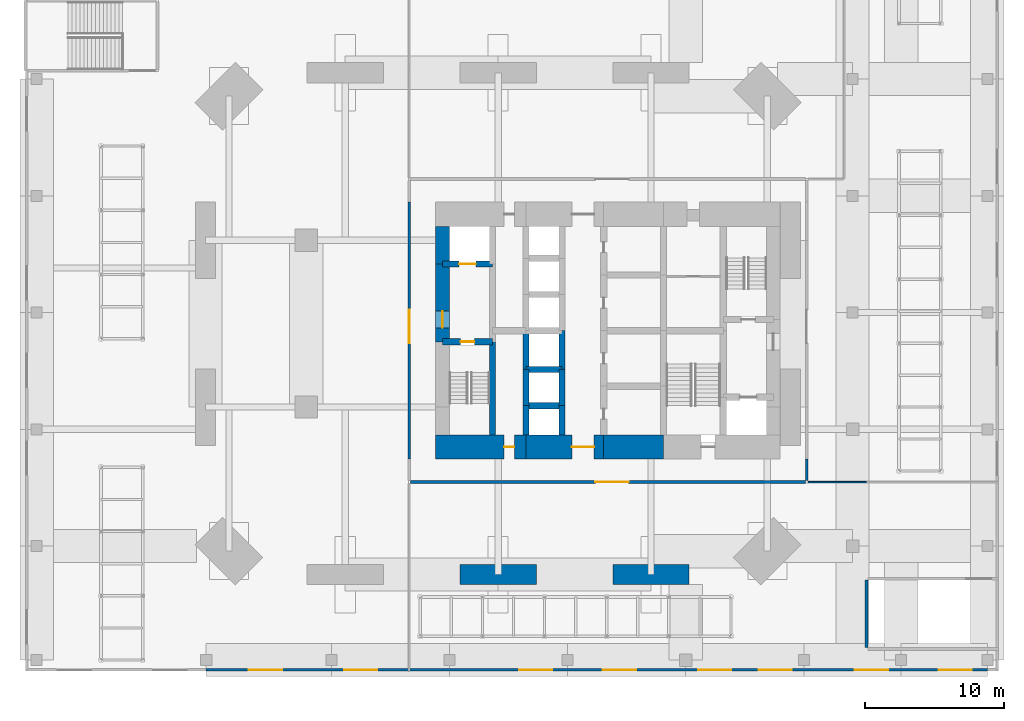
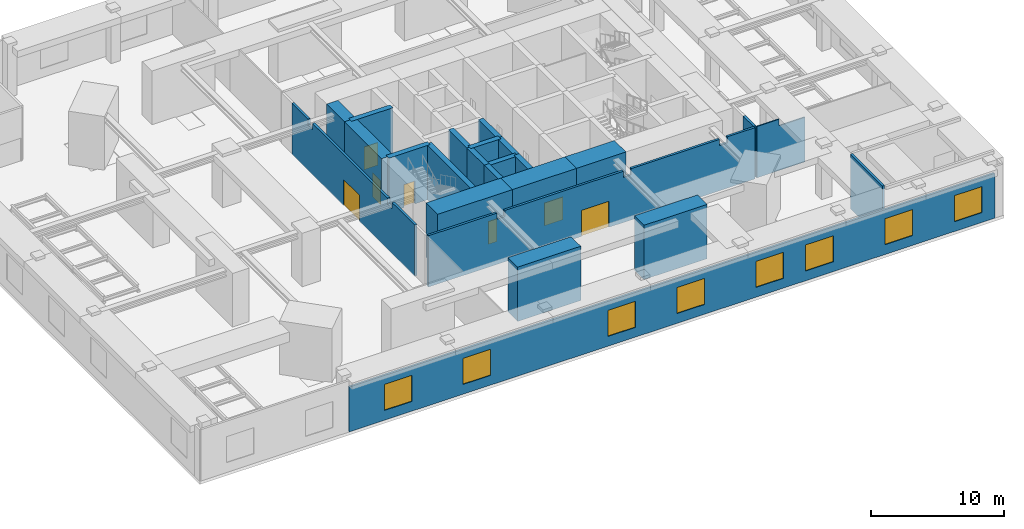
# One storey, part 11 of 17: 24 walls, 8 windows, 7 doors, 15 openings.
"""IFC4 building model written with IfcOpenShell, lengths in metres."""

from ifc_helpers import new_model, si_unit, direction, frame, frame_2d, origin, place, context, subcontext, project, spatial, polyline, rectangle, outline, extrude, material, layer, layer_set, constituent, constituent_set, type_object, element, fill, save


model = new_model("IFC4")

# Units and contexts
model_context = context("Model", 3, precision=1e-05, world=origin(), true_north=direction((0.0, 1.0)))
body_context = subcontext(model_context, "Body", "Model", "MODEL_VIEW")
ifc_project = project(units=[si_unit("LENGTHUNIT", "METRE"), si_unit("AREAUNIT", "SQUARE_METRE"), si_unit("VOLUMEUNIT", "CUBIC_METRE"), si_unit("PLANEANGLEUNIT", "RADIAN"), si_unit("MASSUNIT", "GRAM", prefix="KILO")], contexts=[model_context])

# Site, building, storey
site_placement = place(None, origin())
site = spatial("IfcSite", under=ifc_project, at=site_placement, CompositionType="ELEMENT")
building_placement = place(site_placement, origin())
building = spatial("IfcBuilding", under=site, at=building_placement, Name="Jalousie Tower", CompositionType="ELEMENT")
storey_placement = place(building_placement, frame((0.0, 0.0, 16.0)))
storey = spatial("IfcBuildingStorey", under=building, at=storey_placement, Name="L03", CompositionType="ELEMENT", Elevation=16.0)

# Wall
ifc_material_1 = material(Name="Concrete f'c 120 MPa", Category="concrete")
ifc_layer_1 = layer(ifc_material_1, 1.0)
ifc_layer_set_1 = layer_set([ifc_layer_1], Name="Concrete f'c 120 MPa")
wall_type_1 = type_object("IfcWallType", Name="CORE WALL 1000", PredefinedType="SHEAR", material=ifc_layer_set_1)
wall_1_placement = place(storey_placement, frame((20.0, 26.0, 0.0), z_axis=(0.0, 0.0, 1.0), x_axis=(0.0, -1.0, 0.0)))
element("IfcWall", 1, at=wall_1_placement, inside=storey, type_object=wall_type_1, Name="Core wall WA L03", PredefinedType="SHEAR", context=body_context, shape_type="SweptSolid", body=[
    extrude(rectangle(XDim=2.699951171875, YDim=1.0, at=frame_2d((1.35009765625, 0.0))), origin(), (0.0, 0.0, 1.0), 5.0),
])

# Wall, opening, door
wall_2_placement = place(storey_placement, frame((20.0, 23.300048828125, 0.0), z_axis=(0.0, 0.0, 1.0), x_axis=(0.0, -1.0, 0.0)))
wall_2 = element("IfcWall", 2, at=wall_2_placement, inside=storey, type_object=wall_type_1, Name="Core wall WB L03", PredefinedType="SHEAR", context=body_context, shape_type="SweptSolid", body=[
    extrude(rectangle(XDim=5.60009765625, YDim=1.0, at=frame_2d((2.800048828125, 0.0))), origin(), (0.0, 0.0, 1.0), 5.0),
])
opening_1_placement = place(wall_2_placement, frame((3.39990234375, 0.0, 0.0)))
opening_1 = element("IfcOpeningElement", 3, at=opening_1_placement, cuts=wall_2, Name="Opening D11", PredefinedType="OPENING", context=body_context, shape_type="SweptSolid", body=[
    extrude(rectangle(XDim=1.199951171875, YDim=2.199951171875, at=frame_2d((0.60009765625, 1.10009765625))), frame((0.0, 0.510009765625, 0.0), z_axis=(0.0, -1.0, 0.0), x_axis=(1.0, 0.0, 0.0)), (0.0, 0.0, 1.0), 1.02001953125),
])
ifc_material_2 = material(Name="Steel fire door", Category="steel")
door_type_1 = type_object("IfcDoorType", Name="FIRE DOOR 1200", OperationType="SINGLE_SWING_LEFT", PredefinedType="DOOR", material=ifc_material_2)
door_1_placement = place(opening_1_placement, origin())
door_1 = element("IfcDoor", 4, at=door_1_placement, inside=storey, type_object=door_type_1, Name="Fire-fighting lobby A door", OperationType="SINGLE_SWING_RIGHT", OverallHeight=2.199951171875, OverallWidth=1.199951171875, PredefinedType="DOOR", context=body_context, shape_type="SweptSolid", body=[
    extrude(rectangle(XDim=1.199951171875, YDim=2.199951171875, at=frame_2d((0.60009765625, 1.10009765625))), frame((0.0, 0.02490234375, 0.0), z_axis=(0.0, -1.0, 0.0), x_axis=(1.0, 0.0, 0.0)), (0.0, 0.0, 1.0), 0.050048828125),
])
fill(opening_1, door_1)

ifc_material_3 = material(Name="Concrete f'c 120 MPa", Category="concrete")
ifc_layer_2 = layer(ifc_material_3, 1.75)
ifc_layer_set_2 = layer_set([ifc_layer_2], Name="Concrete f'c 120 MPa")
wall_type_2 = type_object("IfcWallType", Name="CORE WALL 1750", PredefinedType="SHEAR", material=ifc_layer_set_2)
wall_3_placement = place(storey_placement, frame((19.5, 10.125, 0.0), z_axis=(0.0, 0.0, 1.0), x_axis=(1.0, 0.0, 0.0)))
wall_3 = element("IfcWall", 5, at=wall_3_placement, inside=storey, type_object=wall_type_2, Name="Core wall SA L03", PredefinedType="SHEAR", context=body_context, shape_type="SweptSolid", body=[
    extrude(rectangle(XDim=6.5, YDim=1.75, at=frame_2d((3.25, 0.0))), origin(), (0.0, 0.0, 1.0), 5.0),
])
opening_2_placement = place(wall_3_placement, frame((4.925048828125, 0.0, 0.0)))
opening_2 = element("IfcOpeningElement", 6, at=opening_2_placement, cuts=wall_3, Name="Opening D16", PredefinedType="OPENING", context=body_context, shape_type="SweptSolid", body=[
    extrude(rectangle(XDim=0.75, YDim=2.10009765625, at=frame_2d((0.375, 1.050048828125))), frame((0.0, 0.885009765625, 0.0), z_axis=(0.0, -1.0, 0.0), x_axis=(1.0, 0.0, 0.0)), (0.0, 0.0, 1.0), 1.77001953125),
])
ifc_material_4 = material(Name="Steel fire door", Category="steel")
door_type_2 = type_object("IfcDoorType", Name="RISER DOOR 750", OperationType="SINGLE_SWING_LEFT", PredefinedType="DOOR", material=ifc_material_4)
door_2_placement = place(opening_2_placement, origin())
door_2 = element("IfcDoor", 7, at=door_2_placement, inside=storey, type_object=door_type_2, Name="South riser door", OperationType="SINGLE_SWING_LEFT", OverallHeight=2.10009765625, OverallWidth=0.75, PredefinedType="DOOR", context=body_context, shape_type="SweptSolid", body=[
    extrude(rectangle(XDim=0.75, YDim=2.10009765625, at=frame_2d((0.375, 1.050048828125))), frame((0.0, 0.02490234375, 0.0), z_axis=(0.0, -1.0, 0.0), x_axis=(1.0, 0.0, 0.0)), (0.0, 0.0, 1.0), 0.050048828125),
])
fill(opening_2, door_2)

wall_4_placement = place(storey_placement, frame((26.0, 10.125, 0.0), z_axis=(0.0, 0.0, 1.0), x_axis=(1.0, 0.0, 0.0)))
wall_4 = element("IfcWall", 8, at=wall_4_placement, inside=storey, type_object=wall_type_2, Name="Core wall SB L03", PredefinedType="SHEAR", context=body_context, shape_type="SweptSolid", body=[
    extrude(rectangle(XDim=5.60009765625, YDim=1.75, at=frame_2d((2.800048828125, 0.0))), origin(), (0.0, 0.0, 1.0), 5.0),
])
opening_3_placement = place(wall_4_placement, frame((3.300048828125, 0.0, 0.0)))
opening_3 = element("IfcOpeningElement", 9, at=opening_3_placement, cuts=wall_4, Name="Opening D15", PredefinedType="OPENING", context=body_context, shape_type="SweptSolid", body=[
    extrude(rectangle(XDim=1.60009765625, YDim=2.10009765625, at=frame_2d((0.800048828125, 1.050048828125))), frame((0.0, 0.885009765625, 0.0), z_axis=(0.0, -1.0, 0.0), x_axis=(1.0, 0.0, 0.0)), (0.0, 0.0, 1.0), 1.77001953125),
])
ifc_material_5 = material(Name="Steel fire door", Category="steel")
door_type_3 = type_object("IfcDoorType", Name="LIFT LOBBY DOOR 1600", OperationType="DOUBLE_DOOR_SINGLE_SWING", PredefinedType="DOOR", material=ifc_material_5)
door_3_placement = place(opening_3_placement, origin())
door_3 = element("IfcDoor", 10, at=door_3_placement, inside=storey, type_object=door_type_3, Name="Lift lobby south door", OperationType="DOUBLE_DOOR_SINGLE_SWING", OverallHeight=2.10009765625, OverallWidth=1.60009765625, PredefinedType="DOOR", context=body_context, shape_type="SweptSolid", body=[
    extrude(rectangle(XDim=1.60009765625, YDim=2.10009765625, at=frame_2d((0.800048828125, 1.050048828125))), frame((0.0, 0.02490234375, 0.0), z_axis=(0.0, -1.0, 0.0), x_axis=(1.0, 0.0, 0.0)), (0.0, 0.0, 1.0), 0.050048828125),
])
fill(opening_3, door_3)

# Walls
wall_5_placement = place(storey_placement, frame((31.60009765625, 10.125, 0.0), z_axis=(0.0, 0.0, 1.0), x_axis=(1.0, 0.0, 0.0)))
element("IfcWall", 11, at=wall_5_placement, inside=storey, type_object=wall_type_2, Name="Core wall SC L03", PredefinedType="SHEAR", context=body_context, shape_type="SweptSolid", body=[
    extrude(rectangle(XDim=4.2998046875, YDim=1.75, at=frame_2d((2.14990234375, 0.0))), origin(), (0.0, 0.0, 1.0), 5.0),
])
ifc_material_6 = material(Name="Concrete f'c 120 MPa", Category="concrete")
ifc_layer_3 = layer(ifc_material_6, 0.449951171875)
ifc_layer_set_3 = layer_set([ifc_layer_3], Name="Concrete f'c 120 MPa")
wall_type_3 = type_object("IfcWallType", Name="CORE WALL 450", PredefinedType="SHEAR", material=ifc_layer_set_3)
wall_6_placement = place(storey_placement, frame((23.60009765625, 11.0, 0.0), z_axis=(0.0, 0.0, 1.0), x_axis=(0.0, 1.0, 0.0)))
element("IfcWall", 12, at=wall_6_placement, inside=storey, type_object=wall_type_3, Name="Core wall X23.6A L03", PredefinedType="SHEAR", context=body_context, shape_type="SweptSolid", body=[
    extrude(rectangle(XDim=6.699951171875, YDim=0.449951171875, at=frame_2d((3.35009765625, 0.0))), origin(), (0.0, 0.0, 1.0), 5.0),
])
wall_7_placement = place(storey_placement, frame((26.0, 11.0, 0.0), z_axis=(0.0, 0.0, 1.0), x_axis=(0.0, 1.0, 0.0)))
element("IfcWall", 13, at=wall_7_placement, inside=storey, type_object=wall_type_3, Name="Core wall X26A L03", PredefinedType="SHEAR", context=body_context, shape_type="SweptSolid", body=[
    extrude(rectangle(XDim=2.10009765625, YDim=0.449951171875, at=frame_2d((1.050048828125, 0.0))), origin(), (0.0, 0.0, 1.0), 5.0),
])
wall_8_placement = place(storey_placement, frame((26.0, 13.10009765625, 0.0), z_axis=(0.0, 0.0, 1.0), x_axis=(0.0, 1.0, 0.0)))
element("IfcWall", 14, at=wall_8_placement, inside=storey, type_object=wall_type_3, Name="Core wall X26B L03", PredefinedType="SHEAR", context=body_context, shape_type="SweptSolid", body=[
    extrude(rectangle(XDim=2.599853515625, YDim=0.449951171875, at=frame_2d((1.2998046875, 0.0))), origin(), (0.0, 0.0, 1.0), 5.0),
])
wall_9_placement = place(storey_placement, frame((26.0, 15.699951171875, 0.0), z_axis=(0.0, 0.0, 1.0), x_axis=(0.0, 1.0, 0.0)))
element("IfcWall", 15, at=wall_9_placement, inside=storey, type_object=wall_type_3, Name="Core wall X26C L03", PredefinedType="SHEAR", context=body_context, shape_type="SweptSolid", body=[
    extrude(rectangle(XDim=2.800048828125, YDim=0.449951171875, at=frame_2d((1.39990234375, 0.0))), origin(), (0.0, 0.0, 1.0), 5.0),
])
wall_10_placement = place(storey_placement, frame((28.60009765625, 11.0, 0.0), z_axis=(0.0, 0.0, 1.0), x_axis=(0.0, 1.0, 0.0)))
element("IfcWall", 16, at=wall_10_placement, inside=storey, type_object=wall_type_3, Name="Core wall X28.6A L03", PredefinedType="SHEAR", context=body_context, shape_type="SweptSolid", body=[
    extrude(rectangle(XDim=2.10009765625, YDim=0.449951171875, at=frame_2d((1.050048828125, 0.0))), origin(), (0.0, 0.0, 1.0), 5.0),
])
wall_11_placement = place(storey_placement, frame((28.60009765625, 13.10009765625, 0.0), z_axis=(0.0, 0.0, 1.0), x_axis=(0.0, 1.0, 0.0)))
element("IfcWall", 17, at=wall_11_placement, inside=storey, type_object=wall_type_3, Name="Core wall X28.6B L03", PredefinedType="SHEAR", context=body_context, shape_type="SweptSolid", body=[
    extrude(rectangle(XDim=2.599853515625, YDim=0.449951171875, at=frame_2d((1.2998046875, 0.0))), origin(), (0.0, 0.0, 1.0), 5.0),
])
wall_12_placement = place(storey_placement, frame((28.60009765625, 15.699951171875, 0.0), z_axis=(0.0, 0.0, 1.0), x_axis=(0.0, 1.0, 0.0)))
element("IfcWall", 18, at=wall_12_placement, inside=storey, type_object=wall_type_3, Name="Core wall X28.6C L03", PredefinedType="SHEAR", context=body_context, shape_type="SweptSolid", body=[
    extrude(rectangle(XDim=2.800048828125, YDim=0.449951171875, at=frame_2d((1.39990234375, 0.0))), origin(), (0.0, 0.0, 1.0), 5.0),
])

# Wall, opening, door
wall_13_placement = place(storey_placement, frame((20.0, 17.699951171875, 0.0), z_axis=(0.0, 0.0, 1.0), x_axis=(1.0, 0.0, 0.0)))
wall_13 = element("IfcWall", 19, at=wall_13_placement, inside=storey, type_object=wall_type_3, Name="Core wall Y20-17.7 L03", PredefinedType="SHEAR", context=body_context, shape_type="SweptSolid", body=[
    extrude(rectangle(XDim=3.60009765625, YDim=0.449951171875, at=frame_2d((1.800048828125, 0.0))), origin(), (0.0, 0.0, 1.0), 5.0),
])
opening_4_placement = place(wall_13_placement, frame((1.300048828125, 0.0, 0.0)))
opening_4 = element("IfcOpeningElement", 20, at=opening_4_placement, cuts=wall_13, Name="Opening D10", PredefinedType="OPENING", context=body_context, shape_type="SweptSolid", body=[
    extrude(rectangle(XDim=1.0, YDim=2.10009765625, at=frame_2d((0.5, 1.050048828125))), frame((0.0, 0.23486328125, 0.0), z_axis=(0.0, -1.0, 0.0), x_axis=(1.0, 0.0, 0.0)), (0.0, 0.0, 1.0), 0.469970703125),
])
ifc_material_7 = material(Name="Steel fire door", Category="steel")
door_type_4 = type_object("IfcDoorType", Name="STAIR DOOR 1000", OperationType="SINGLE_SWING_LEFT", PredefinedType="DOOR", material=ifc_material_7)
door_4_placement = place(opening_4_placement, frame((1.0, 0.0, 0.0), z_axis=(0.0, 0.0, 1.0), x_axis=(-1.0, 0.0, 0.0)))
door_4 = element("IfcDoor", 21, at=door_4_placement, inside=storey, type_object=door_type_4, Name="Exit stair A door", OperationType="SINGLE_SWING_RIGHT", OverallHeight=2.10009765625, OverallWidth=1.0, PredefinedType="DOOR", context=body_context, shape_type="SweptSolid", body=[
    extrude(rectangle(XDim=1.0, YDim=2.10009765625, at=frame_2d((0.5, 1.050048828125))), frame((0.0, 0.02490234375, 0.0), z_axis=(0.0, -1.0, 0.0), x_axis=(1.0, 0.0, 0.0)), (0.0, 0.0, 1.0), 0.050048828125),
])
fill(opening_4, door_4)

wall_14_placement = place(storey_placement, frame((20.0, 23.300048828125, 0.0), z_axis=(0.0, 0.0, 1.0), x_axis=(1.0, 0.0, 0.0)))
wall_14 = element("IfcWall", 22, at=wall_14_placement, inside=storey, type_object=wall_type_3, Name="Core wall Y20-23.3 L03", PredefinedType="SHEAR", context=body_context, shape_type="SweptSolid", body=[
    extrude(rectangle(XDim=3.60009765625, YDim=0.449951171875, at=frame_2d((1.800048828125, 0.0))), origin(), (0.0, 0.0, 1.0), 5.0),
])
opening_5_placement = place(wall_14_placement, frame((1.199951171875, 0.0, 0.0)))
opening_5 = element("IfcOpeningElement", 23, at=opening_5_placement, cuts=wall_14, Name="Opening LD2", PredefinedType="OPENING", context=body_context, shape_type="SweptSolid", body=[
    extrude(rectangle(XDim=1.199951171875, YDim=2.10009765625, at=frame_2d((0.60009765625, 1.050048828125))), frame((0.0, 0.23486328125, 0.0), z_axis=(0.0, -1.0, 0.0), x_axis=(1.0, 0.0, 0.0)), (0.0, 0.0, 1.0), 0.469970703125),
])
ifc_material_8 = material(Name="Steel lift landing door", Category="steel")
door_type_5 = type_object("IfcDoorType", Name="LIFT LANDING DOOR 1200", OperationType="SLIDING_TO_LEFT", PredefinedType="DOOR", material=ifc_material_8)
door_5_placement = place(opening_5_placement, origin())
door_5 = element("IfcDoor", 24, at=door_5_placement, inside=storey, type_object=door_type_5, Name="Lift F1 landing door", OperationType="SLIDING_TO_LEFT", OverallHeight=2.10009765625, OverallWidth=1.199951171875, PredefinedType="DOOR", context=body_context, shape_type="SweptSolid", body=[
    extrude(rectangle(XDim=1.199951171875, YDim=2.10009765625, at=frame_2d((0.60009765625, 1.050048828125))), frame((0.0, 0.02490234375, 0.0), z_axis=(0.0, -1.0, 0.0), x_axis=(1.0, 0.0, 0.0)), (0.0, 0.0, 1.0), 0.050048828125),
])
fill(opening_5, door_5)

# Walls
for number, where, z_axis, x_axis, name in (
    (25, (26.0, 13.10009765625, 0.0), (0.0, 0.0, 1.0), (1.0, 0.0, 0.0), "Core wall Y26-13.1 L03"),
    (26, (26.0, 15.699951171875, 0.0), (0.0, 0.0, 1.0), (1.0, 0.0, 0.0), "Core wall Y26-15.7 L03"),
):
    element("IfcWall", number, at=place(storey_placement, frame(where, z_axis=z_axis, x_axis=x_axis)), inside=storey, type_object=wall_type_3, Name=name, PredefinedType="SHEAR", context=body_context, shape_type="SweptSolid", body=[
        extrude(rectangle(XDim=2.60009765625, YDim=0.449951171875, at=frame_2d((1.300048828125, 0.0))), origin(), (0.0, 0.0, 1.0), 5.0),
    ])

# Wall, opening, door
ifc_material_9 = material(Name="Concrete block ASTM C90", Category="concrete")
ifc_constituent_1 = constituent(ifc_material_9, Name="Body")
ifc_material_10 = material(Name="Render")
ifc_constituent_2 = constituent(ifc_material_10, Name="Finish")
ifc_constituent_set_1 = constituent_set(constituents=[ifc_constituent_1, ifc_constituent_2])
wall_type_4 = type_object("IfcWallType", Name="CORRIDOR WALL 200", PredefinedType="PARTITIONING", material=ifc_constituent_set_1)
wall_15_placement = place(storey_placement, frame((17.60009765625, 9.25, 0.0), z_axis=(0.0, 0.0, 1.0), x_axis=(0.0, 1.0, 0.0)))
wall_15 = element("IfcWall", 27, at=wall_15_placement, inside=storey, type_object=wall_type_4, Name="Corridor Wall 200 L03", PredefinedType="PARTITIONING", context=body_context, shape_type="SweptSolid", body=[
    extrude(outline(polyline([(0.0, 0.0), (18.5, 0.0), (18.5, 4.719970703125), (16.08740234375, 4.719970703125), (16.08740234375, 4.15087890625), (15.41259765625, 4.15087890625), (15.41259765625, 4.719970703125), (4.08740234375, 4.719970703125), (4.08740234375, 4.15087890625), (3.41259765625, 4.15087890625), (3.41259765625, 4.719970703125), (0.0, 4.719970703125), (0.0, 0.0)])), frame((0.0, 0.10009765625, 0.0), z_axis=(0.0, -1.0, 0.0), x_axis=(1.0, 0.0, 0.0)), (0.0, 0.0, 1.0), 0.199951171875),
])
opening_6_placement = place(wall_15_placement, frame((8.35009765625, 0.0, 0.0)))
opening_6 = element("IfcOpeningElement", 28, at=opening_6_placement, cuts=wall_15, Name="Opening D9", PredefinedType="OPENING", context=body_context, shape_type="SweptSolid", body=[
    extrude(rectangle(XDim=2.39990234375, YDim=2.39990234375, at=frame_2d((1.199951171875, 1.199951171875))), frame((0.0, 0.10986328125, 0.0), z_axis=(0.0, -1.0, 0.0), x_axis=(1.0, 0.0, 0.0)), (0.0, 0.0, 1.0), 0.219970703125),
])
ifc_material_11 = material(Name="Steel fire door", Category="steel")
door_type_6 = type_object("IfcDoorType", Name="PLANT DOOR 2400", OperationType="DOUBLE_DOOR_SINGLE_SWING", PredefinedType="DOOR", material=ifc_material_11)
door_6_placement = place(opening_6_placement, origin())
door_6 = element("IfcDoor", 29, at=door_6_placement, inside=storey, type_object=door_type_6, Name="Mechanical plant room door", OperationType="DOUBLE_DOOR_SINGLE_SWING", OverallHeight=2.39990234375, OverallWidth=2.39990234375, PredefinedType="DOOR", context=body_context, shape_type="SweptSolid", body=[
    extrude(rectangle(XDim=2.39990234375, YDim=2.39990234375, at=frame_2d((1.199951171875, 1.199951171875))), frame((0.0, 0.02490234375, 0.0), z_axis=(0.0, -1.0, 0.0), x_axis=(1.0, 0.0, 0.0)), (0.0, 0.0, 1.0), 0.050048828125),
])
fill(opening_6, door_6)

wall_16_placement = place(storey_placement, frame((17.699951171875, 7.60009765625, 0.0), z_axis=(0.0, 0.0, 1.0), x_axis=(1.0, 0.0, 0.0)))
wall_16 = element("IfcWall", 30, at=wall_16_placement, inside=storey, type_object=wall_type_4, Name="Corridor Wall 200 L03", PredefinedType="PARTITIONING", context=body_context, shape_type="SweptSolid", body=[
    extrude(outline(polyline([(0.0, 0.0), (28.400146484375, 0.0), (28.39990234375, 4.719970703125), (26.005859375, 4.719970703125), (26.005859375, 4.15087890625), (25.331298828125, 4.15087890625), (25.331298828125, 4.719970703125), (17.63720703125, 4.719970703125), (17.63720703125, 4.15087890625), (16.962646484375, 4.15087890625), (16.962646484375, 4.719970703125), (6.63720703125, 4.719970703125), (6.63720703125, 4.15087890625), (5.962646484375, 4.15087890625), (5.962646484375, 4.719970703125), (0.0, 4.719970703125), (0.0, 0.0)])), frame((0.0, 0.10009765625, 0.0), z_axis=(0.0, -1.0, 0.0), x_axis=(1.0, 0.0, 0.0)), (0.0, 0.0, 1.0), 0.199951171875),
])
opening_7_placement = place(wall_16_placement, frame((13.300048828125, 0.0, 0.0)))
opening_7 = element("IfcOpeningElement", 31, at=opening_7_placement, cuts=wall_16, Name="Opening D9", PredefinedType="OPENING", context=body_context, shape_type="SweptSolid", body=[
    extrude(rectangle(XDim=2.39990234375, YDim=2.39990234375, at=frame_2d((1.199951171875, 1.199951171875))), frame((0.0, 0.10986328125, 0.0), z_axis=(0.0, -1.0, 0.0), x_axis=(1.0, 0.0, 0.0)), (0.0, 0.0, 1.0), 0.219970703125),
])
door_7_placement = place(opening_7_placement, frame((2.39990234375, 0.0, 0.0), z_axis=(0.0, 0.0, 1.0), x_axis=(-1.0, 0.0, 0.0)))
door_7 = element("IfcDoor", 32, at=door_7_placement, inside=storey, type_object=door_type_6, Name="Electrical plant room door", OperationType="DOUBLE_DOOR_SINGLE_SWING", OverallHeight=2.39990234375, OverallWidth=2.39990234375, PredefinedType="DOOR", context=body_context, shape_type="SweptSolid", body=[
    extrude(rectangle(XDim=2.39990234375, YDim=2.39990234375, at=frame_2d((1.199951171875, 1.199951171875))), frame((0.0, 0.02490234375, 0.0), z_axis=(0.0, -1.0, 0.0), x_axis=(1.0, 0.0, 0.0)), (0.0, 0.0, 1.0), 0.050048828125),
])
fill(opening_7, door_7)

# Wall
wall_17_placement = place(storey_placement, frame((46.199951171875, 7.699951171875, 0.0), z_axis=(0.0, 0.0, 1.0), x_axis=(0.0, 1.0, 0.0)))
element("IfcWall", 33, at=wall_17_placement, inside=storey, type_object=wall_type_4, Name="Corridor Wall 200 L03", PredefinedType="PARTITIONING", context=body_context, shape_type="SweptSolid", body=[
    extrude(rectangle(XDim=1.550048828125, YDim=0.199951171875, at=frame_2d((0.77490234375, 0.0))), origin(), (0.0, 0.0, 1.0), 4.719970703125),
])

# Wall, openings, windows
ifc_material_12 = material(Name="Concrete f'c 40 MPa", Category="concrete")
ifc_constituent_3 = constituent(ifc_material_12, Name="Body")
ifc_material_13 = material(Name="Render, pastel coral")
ifc_constituent_4 = constituent(ifc_material_13, Name="Finish")
ifc_constituent_set_2 = constituent_set(constituents=[ifc_constituent_3, ifc_constituent_4])
wall_type_5 = type_object("IfcWallType", Name="EXTERNAL WALL 175 CORAL RENDER", PredefinedType="SOLIDWALL", material=ifc_constituent_set_2)
wall_18_placement = place(storey_placement, frame((3.0, -5.91259765625, 0.0), z_axis=(0.0, 0.0, 1.0), x_axis=(1.0, 0.0, 0.0)))
wall_18 = element("IfcWall", 34, at=wall_18_placement, inside=storey, type_object=wall_type_5, Name="External Wall 175 Coral Render L03-B", PredefinedType="SOLIDWALL", context=body_context, shape_type="SweptSolid", body=[
    extrude(rectangle(XDim=56.199951171875, YDim=0.175048828125, at=frame_2d((28.10009765625, 0.0))), origin(), (0.0, 0.0, 1.0), 4.1201171875),
])
opening_8_placement = place(wall_18_placement, frame((3.051513671875, 0.0, 0.89990234375)))
opening_8 = element("IfcOpeningElement", 35, at=opening_8_placement, cuts=wall_18, Name="Opening W-PLANT", PredefinedType="OPENING", context=body_context, shape_type="SweptSolid", body=[
    extrude(rectangle(XDim=2.39990234375, YDim=2.39990234375, at=frame_2d((1.199951171875, 1.199951171875))), frame((0.0, 0.097412109375, 0.0), z_axis=(0.0, -1.0, 0.0), x_axis=(1.0, 0.0, 0.0)), (0.0, 0.0, 1.0), 0.195068359375),
])
opening_9_placement = place(wall_18_placement, frame((9.917236328125, 0.0, 0.89990234375)))
opening_9 = element("IfcOpeningElement", 36, at=opening_9_placement, cuts=wall_18, Name="Opening W-PLANT", PredefinedType="OPENING", context=body_context, shape_type="SweptSolid", body=[
    extrude(rectangle(XDim=2.39990234375, YDim=2.39990234375, at=frame_2d((1.199951171875, 1.199951171875))), frame((0.0, 0.097412109375, 0.0), z_axis=(0.0, -1.0, 0.0), x_axis=(1.0, 0.0, 0.0)), (0.0, 0.0, 1.0), 0.195068359375),
])
opening_10_placement = place(wall_18_placement, frame((22.50634765625, 0.0, 0.89990234375)))
opening_10 = element("IfcOpeningElement", 37, at=opening_10_placement, cuts=wall_18, Name="Opening W-PLANT", PredefinedType="OPENING", context=body_context, shape_type="SweptSolid", body=[
    extrude(rectangle(XDim=2.39990234375, YDim=2.39990234375, at=frame_2d((1.199951171875, 1.199951171875))), frame((0.0, 0.097412109375, 0.0), z_axis=(0.0, -1.0, 0.0), x_axis=(1.0, 0.0, 0.0)), (0.0, 0.0, 1.0), 0.195068359375),
])
opening_11_placement = place(wall_18_placement, frame((28.543701171875, 0.0, 0.89990234375)))
opening_11 = element("IfcOpeningElement", 38, at=opening_11_placement, cuts=wall_18, Name="Opening W-PLANT", PredefinedType="OPENING", context=body_context, shape_type="SweptSolid", body=[
    extrude(rectangle(XDim=2.39990234375, YDim=2.39990234375, at=frame_2d((1.199951171875, 1.199951171875))), frame((0.0, 0.097412109375, 0.0), z_axis=(0.0, -1.0, 0.0), x_axis=(1.0, 0.0, 0.0)), (0.0, 0.0, 1.0), 0.195068359375),
])
opening_12_placement = place(wall_18_placement, frame((35.38916015625, 0.0, 0.89990234375)))
opening_12 = element("IfcOpeningElement", 39, at=opening_12_placement, cuts=wall_18, Name="Opening W-PLANT", PredefinedType="OPENING", context=body_context, shape_type="SweptSolid", body=[
    extrude(rectangle(XDim=2.39990234375, YDim=2.39990234375, at=frame_2d((1.199951171875, 1.199951171875))), frame((0.0, 0.097412109375, 0.0), z_axis=(0.0, -1.0, 0.0), x_axis=(1.0, 0.0, 0.0)), (0.0, 0.0, 1.0), 0.195068359375),
])
opening_13_placement = place(wall_18_placement, frame((39.737548828125, 0.0, 0.89990234375)))
opening_13 = element("IfcOpeningElement", 40, at=opening_13_placement, cuts=wall_18, Name="Opening W-PLANT", PredefinedType="OPENING", context=body_context, shape_type="SweptSolid", body=[
    extrude(rectangle(XDim=2.39990234375, YDim=2.39990234375, at=frame_2d((1.199951171875, 1.199951171875))), frame((0.0, 0.097412109375, 0.0), z_axis=(0.0, -1.0, 0.0), x_axis=(1.0, 0.0, 0.0)), (0.0, 0.0, 1.0), 0.195068359375),
])
opening_14_placement = place(wall_18_placement, frame((46.65625, 0.0, 0.89990234375)))
opening_14 = element("IfcOpeningElement", 41, at=opening_14_placement, cuts=wall_18, Name="Opening W-PLANT", PredefinedType="OPENING", context=body_context, shape_type="SweptSolid", body=[
    extrude(rectangle(XDim=2.39990234375, YDim=2.39990234375, at=frame_2d((1.199951171875, 1.199951171875))), frame((0.0, 0.097412109375, 0.0), z_axis=(0.0, -1.0, 0.0), x_axis=(1.0, 0.0, 0.0)), (0.0, 0.0, 1.0), 0.195068359375),
])
opening_15_placement = place(wall_18_placement, frame((52.69384765625, 0.0, 0.89990234375)))
opening_15 = element("IfcOpeningElement", 42, at=opening_15_placement, cuts=wall_18, Name="Opening W-PLANT", PredefinedType="OPENING", context=body_context, shape_type="SweptSolid", body=[
    extrude(rectangle(XDim=2.39990234375, YDim=2.39990234375, at=frame_2d((1.199951171875, 1.199951171875))), frame((0.0, 0.097412109375, 0.0), z_axis=(0.0, -1.0, 0.0), x_axis=(1.0, 0.0, 0.0)), (0.0, 0.0, 1.0), 0.195068359375),
])
ifc_material_14 = material(Name="Aluminium frame, impact-rated glazing", Category="aluminium")
window_type = type_object("IfcWindowType", Name="WINDOW PLANT 2400x2400", PartitioningType="DOUBLE_PANEL_VERTICAL", PredefinedType="WINDOW", material=ifc_material_14)
window_1_placement = place(opening_8_placement, origin())
window_1 = element("IfcWindow", 43, at=window_1_placement, inside=storey, type_object=window_type, Name="Mechanical plant room louvre", OverallHeight=2.39990234375, OverallWidth=2.39990234375, PartitioningType="SINGLE_PANEL", PredefinedType="WINDOW", context=body_context, shape_type="SweptSolid", body=[
    extrude(rectangle(XDim=2.39990234375, YDim=2.39990234375, at=frame_2d((1.199951171875, 1.199951171875))), frame((0.0, 0.030029296875, 0.0), z_axis=(0.0, -1.0, 0.0), x_axis=(1.0, 0.0, 0.0)), (0.0, 0.0, 1.0), 0.06005859375),
])
fill(opening_8, window_1)
window_2_placement = place(opening_9_placement, origin())
window_2 = element("IfcWindow", 44, at=window_2_placement, inside=storey, type_object=window_type, Name="Mechanical plant room louvre", OverallHeight=2.39990234375, OverallWidth=2.39990234375, PartitioningType="SINGLE_PANEL", PredefinedType="WINDOW", context=body_context, shape_type="SweptSolid", body=[
    extrude(rectangle(XDim=2.39990234375, YDim=2.39990234375, at=frame_2d((1.199951171875, 1.199951171875))), frame((0.0, 0.030029296875, 0.0), z_axis=(0.0, -1.0, 0.0), x_axis=(1.0, 0.0, 0.0)), (0.0, 0.0, 1.0), 0.06005859375),
])
fill(opening_9, window_2)
window_3_placement = place(opening_10_placement, origin())
window_3 = element("IfcWindow", 45, at=window_3_placement, inside=storey, type_object=window_type, Name="Electrical plant room louvre", OverallHeight=2.39990234375, OverallWidth=2.39990234375, PartitioningType="SINGLE_PANEL", PredefinedType="WINDOW", context=body_context, shape_type="SweptSolid", body=[
    extrude(rectangle(XDim=2.39990234375, YDim=2.39990234375, at=frame_2d((1.199951171875, 1.199951171875))), frame((0.0, 0.030029296875, 0.0), z_axis=(0.0, -1.0, 0.0), x_axis=(1.0, 0.0, 0.0)), (0.0, 0.0, 1.0), 0.06005859375),
])
fill(opening_10, window_3)
window_4_placement = place(opening_11_placement, origin())
window_4 = element("IfcWindow", 46, at=window_4_placement, inside=storey, type_object=window_type, Name="Electrical plant room louvre", OverallHeight=2.39990234375, OverallWidth=2.39990234375, PartitioningType="SINGLE_PANEL", PredefinedType="WINDOW", context=body_context, shape_type="SweptSolid", body=[
    extrude(rectangle(XDim=2.39990234375, YDim=2.39990234375, at=frame_2d((1.199951171875, 1.199951171875))), frame((0.0, 0.030029296875, 0.0), z_axis=(0.0, -1.0, 0.0), x_axis=(1.0, 0.0, 0.0)), (0.0, 0.0, 1.0), 0.06005859375),
])
fill(opening_11, window_4)
window_5_placement = place(opening_12_placement, origin())
window_5 = element("IfcWindow", 47, at=window_5_placement, inside=storey, type_object=window_type, Name="Electrical plant room louvre", OverallHeight=2.39990234375, OverallWidth=2.39990234375, PartitioningType="SINGLE_PANEL", PredefinedType="WINDOW", context=body_context, shape_type="SweptSolid", body=[
    extrude(rectangle(XDim=2.39990234375, YDim=2.39990234375, at=frame_2d((1.199951171875, 1.199951171875))), frame((0.0, 0.030029296875, 0.0), z_axis=(0.0, -1.0, 0.0), x_axis=(1.0, 0.0, 0.0)), (0.0, 0.0, 1.0), 0.06005859375),
])
fill(opening_12, window_5)
window_6_placement = place(opening_13_placement, origin())
window_6 = element("IfcWindow", 48, at=window_6_placement, inside=storey, type_object=window_type, Name="Electrical plant room louvre", OverallHeight=2.39990234375, OverallWidth=2.39990234375, PartitioningType="SINGLE_PANEL", PredefinedType="WINDOW", context=body_context, shape_type="SweptSolid", body=[
    extrude(rectangle(XDim=2.39990234375, YDim=2.39990234375, at=frame_2d((1.199951171875, 1.199951171875))), frame((0.0, 0.030029296875, 0.0), z_axis=(0.0, -1.0, 0.0), x_axis=(1.0, 0.0, 0.0)), (0.0, 0.0, 1.0), 0.06005859375),
])
fill(opening_13, window_6)
window_7_placement = place(opening_14_placement, origin())
window_7 = element("IfcWindow", 49, at=window_7_placement, inside=storey, type_object=window_type, Name="Electrical plant room louvre", OverallHeight=2.39990234375, OverallWidth=2.39990234375, PartitioningType="SINGLE_PANEL", PredefinedType="WINDOW", context=body_context, shape_type="SweptSolid", body=[
    extrude(rectangle(XDim=2.39990234375, YDim=2.39990234375, at=frame_2d((1.199951171875, 1.199951171875))), frame((0.0, 0.030029296875, 0.0), z_axis=(0.0, -1.0, 0.0), x_axis=(1.0, 0.0, 0.0)), (0.0, 0.0, 1.0), 0.06005859375),
])
fill(opening_14, window_7)
window_8_placement = place(opening_15_placement, origin())
window_8 = element("IfcWindow", 50, at=window_8_placement, inside=storey, type_object=window_type, Name="Electrical plant room louvre", OverallHeight=2.39990234375, OverallWidth=2.39990234375, PartitioningType="SINGLE_PANEL", PredefinedType="WINDOW", context=body_context, shape_type="SweptSolid", body=[
    extrude(rectangle(XDim=2.39990234375, YDim=2.39990234375, at=frame_2d((1.199951171875, 1.199951171875))), frame((0.0, 0.030029296875, 0.0), z_axis=(0.0, -1.0, 0.0), x_axis=(1.0, 0.0, 0.0)), (0.0, 0.0, 1.0), 0.06005859375),
])
fill(opening_15, window_8)

# Walls
ifc_material_15 = material(Name="Gypsum board", Category="gypsum")
ifc_constituent_5 = constituent(ifc_material_15, Name="Body")
ifc_material_16 = material(Name="Light-gauge steel studs ASTM A653 SS Grade 33", Category="steel")
ifc_constituent_6 = constituent(ifc_material_16, Name="Framing")
ifc_constituent_set_3 = constituent_set(constituents=[ifc_constituent_5, ifc_constituent_6])
wall_type_6 = type_object("IfcWallType", Name="PARTITION 100", PredefinedType="PARTITIONING", material=ifc_constituent_set_3)
wall_19_placement = place(storey_placement, frame((46.300048828125, 7.60009765625, 0.0), z_axis=(0.0, 0.0, 1.0), x_axis=(1.0, 0.0, 0.0)))
element("IfcWall", 51, at=wall_19_placement, inside=storey, type_object=wall_type_6, Name="Partition 100 L03", PredefinedType="PARTITIONING", context=body_context, shape_type="SweptSolid", body=[
    extrude(outline(polyline([(0.0, 0.0), (4.199951171875, 0.0), (4.199951171875, 4.719970703125), (4.199951171875, 4.1201171875), (1.93994140625, 4.1201171875), (1.93994140625, 4.719970703125), (0.0, 4.719970703125), (0.0, 0.0)])), frame((0.0, 0.050048828125, 0.0), z_axis=(0.0, -1.0, 0.0), x_axis=(1.0, 0.0, 0.0)), (0.0, 0.0, 1.0), 0.10009765625),
])
ifc_material_17 = material(Name="Concrete f'c 120 MPa", Category="concrete")
ifc_layer_4 = layer(ifc_material_17, 1.449951171875)
ifc_layer_set_4 = layer_set([ifc_layer_4], Name="Concrete f'c 120 MPa")
wall_type_7 = type_object("IfcWallType", Name="RC WALL PIER 1450", PredefinedType="SHEAR", material=ifc_layer_set_4)
for number, where, z_axis, x_axis, name in (
    (52, (21.25, 0.949951171875, 0.0), (0.0, 0.0, 1.0), (1.0, 0.0, 0.0), "Wall pier 03 L03"),
    (53, (32.25, 0.949951171875, 0.0), (0.0, 0.0, 1.0), (1.0, 0.0, 0.0), "Wall pier 04 L03"),
):
    element("IfcWall", number, at=place(storey_placement, frame(where, z_axis=z_axis, x_axis=x_axis)), inside=storey, type_object=wall_type_7, Name=name, PredefinedType="SHEAR", context=body_context, shape_type="SweptSolid", body=[
        extrude(rectangle(XDim=5.5, YDim=1.449951171875, at=frame_2d((2.75, 0.0))), origin(), (0.0, 0.0, 1.0), 5.0),
    ])
ifc_material_18 = material(Name="Concrete block ASTM C90", Category="concrete")
ifc_constituent_7 = constituent(ifc_material_18, Name="Body")
ifc_material_19 = material(Name="Render")
ifc_constituent_8 = constituent(ifc_material_19, Name="Finish")
ifc_constituent_set_4 = constituent_set(constituents=[ifc_constituent_7, ifc_constituent_8])
wall_type_8 = type_object("IfcWallType", Name="STAIR WALL 200", PredefinedType="SOLIDWALL", material=ifc_constituent_set_4)
wall_20_placement = place(storey_placement, frame((50.5, -4.300048828125, 0.0), z_axis=(0.0, 0.0, 1.0), x_axis=(0.0, 1.0, 0.0)))
element("IfcWall", 54, at=wall_20_placement, inside=storey, type_object=wall_type_8, Name="Stair Wall 200 L03", PredefinedType="SOLIDWALL", context=body_context, shape_type="SweptSolid", body=[
    extrude(rectangle(XDim=4.85009765625, YDim=0.199951171875, at=frame_2d((2.425048828125, 0.0))), origin(), (0.0, 0.0, 1.0), 5.0),
])

save(model, "model.ifc")
